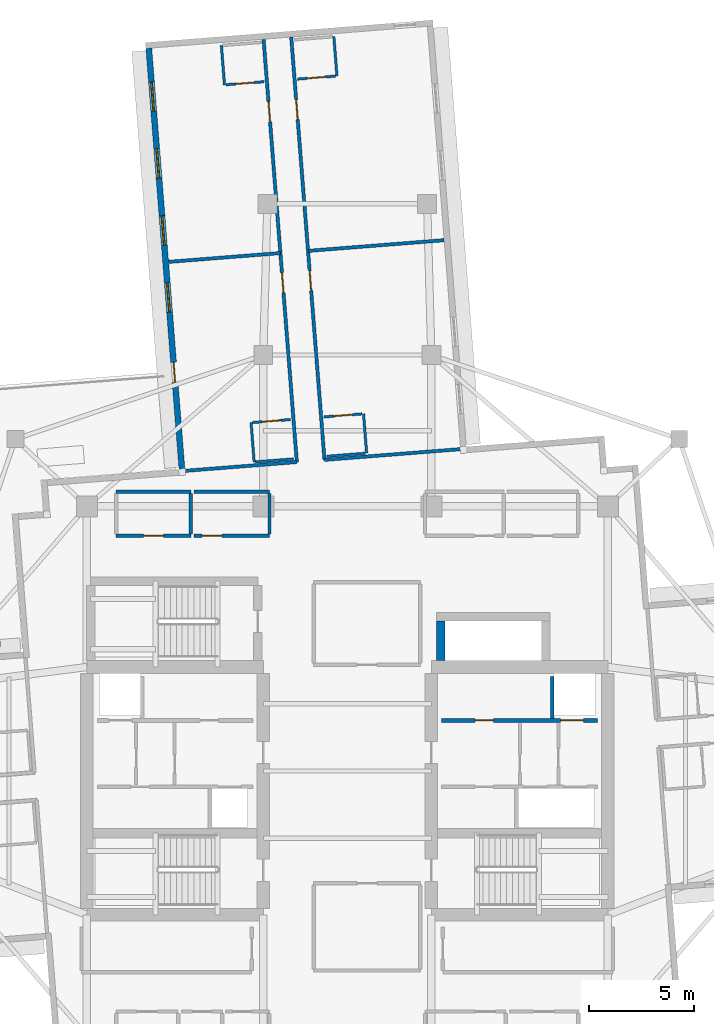
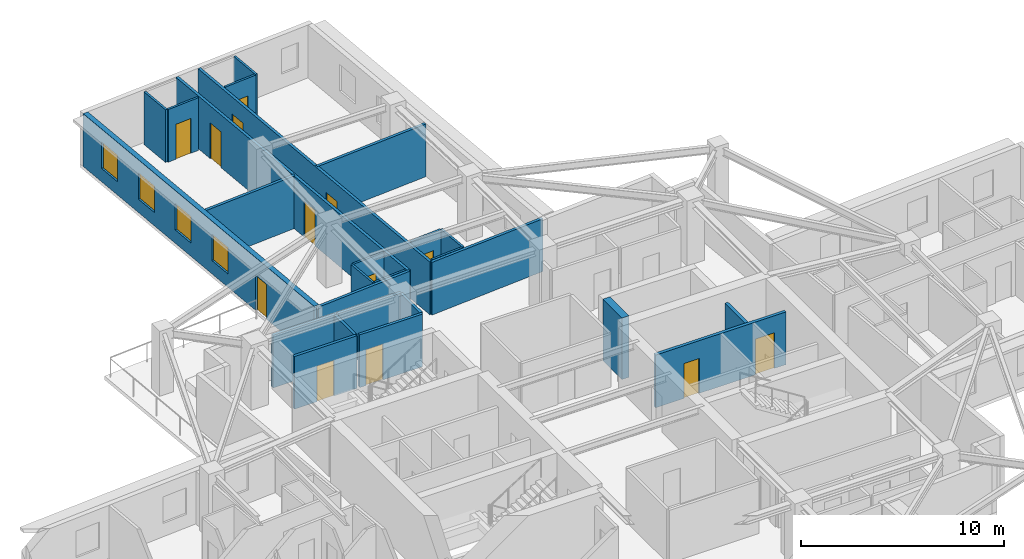
# One storey, part 7 of 13: 26 walls, 13 doors, 4 windows, 17 openings.
"""IFC4 building model written with IfcOpenShell, lengths in metres."""

from ifc_helpers import new_model, si_unit, direction, frame, frame_2d, origin, place, context, subcontext, project, spatial, rectangle, extrude, material, layer, layer_set, type_object, element, fill, save


model = new_model("IFC4")

# Units and contexts
model_context = context("Model", 3, precision=1e-05, world=origin(), true_north=direction((0.0, 1.0)))
body_context = subcontext(model_context, "Body", "Model", "MODEL_VIEW")
ifc_project = project(units=[si_unit("LENGTHUNIT", "METRE"), si_unit("AREAUNIT", "SQUARE_METRE"), si_unit("VOLUMEUNIT", "CUBIC_METRE"), si_unit("PLANEANGLEUNIT", "RADIAN"), si_unit("MASSUNIT", "GRAM", prefix="KILO")], contexts=[model_context])

# Site, building, storey
site_placement = place(None, origin())
site = spatial("IfcSite", under=ifc_project, at=site_placement, CompositionType="ELEMENT")
building_placement = place(site_placement, origin())
building = spatial("IfcBuilding", under=site, at=building_placement, Name="Qingluan Cross Belvedere", CompositionType="ELEMENT")
storey_placement = place(building_placement, frame((0.0, 0.0, 205.199951171875)))
storey = spatial("IfcBuildingStorey", under=building, at=storey_placement, Name="L51", CompositionType="ELEMENT", Elevation=205.199951171875)

# Wall
ifc_material_1 = material(Name="Concrete C50", Category="concrete")
ifc_layer_1 = layer(ifc_material_1, 0.449951171875, Name="CoreShearWall_450")
ifc_layer_set_1 = layer_set([ifc_layer_1], Name="Concrete C50")
wall_type_1 = type_object("IfcWallType", Name="CoreShearWall_450", PredefinedType="SHEAR", material=ifc_layer_set_1)
wall_1_placement = place(storey_placement, frame((4.449951171875, 5.2548828125, 0.0), z_axis=(0.0, 0.0, 1.0), x_axis=(0.0, 1.0, 0.0)))
element("IfcWall", 1, at=wall_1_placement, inside=storey, type_object=wall_type_1, Name="Express shuttle core wall L51-W", PredefinedType="SHEAR", context=body_context, shape_type="SweptSolid", body=[
    extrude(rectangle(XDim=1.885009765625, YDim=0.39990234375, at=frame_2d((0.9423828125, 0.0))), origin(), (0.0, 0.0, 1.0), 3.699951171875),
])

# Wall, opening, door
ifc_material_2 = material(Name="Gypsum plasterboard on steel stud acoustic partition", Category="steel")
ifc_layer_2 = layer(ifc_material_2, 0.159912109375, Name="CorridorPartition_160")
ifc_layer_set_2 = layer_set([ifc_layer_2], Name="Gypsum plasterboard on steel stud acoustic partition")
wall_type_2 = type_object("IfcWallType", Name="CorridorPartition_160", PredefinedType="PARTITIONING", material=ifc_layer_set_2)
wall_2_placement = place(storey_placement, frame((-11.0, 11.199951171875, 0.0), z_axis=(0.0, 0.0, 1.0), x_axis=(1.0, 0.0, 0.0)))
wall_2 = element("IfcWall", 2, at=wall_2_placement, inside=storey, type_object=wall_type_2, Name="Partition L51:q_nw1:S", PredefinedType="PARTITIONING", context=body_context, shape_type="SweptSolid", body=[
    extrude(rectangle(XDim=3.550048828125, YDim=0.159912109375, at=frame_2d((1.77490234375, 0.0))), origin(), (0.0, 0.0, 1.0), 3.170166015625),
])
opening_1_placement = place(wall_2_placement, frame((1.294921875, 0.0, 0.0)))
opening_1 = element("IfcOpeningElement", 3, at=opening_1_placement, cuts=wall_2, Name="Opening GD-10", PredefinedType="OPENING", context=body_context, shape_type="SweptSolid", body=[
    extrude(rectangle(XDim=0.9599609375, YDim=2.14990234375, at=frame_2d((0.47998046875, 1.074951171875))), frame((0.0, 0.08984375, 0.0), z_axis=(0.0, -1.0, 0.0), x_axis=(1.0, 0.0, 0.0)), (0.0, 0.0, 1.0), 0.179931640625),
])
ifc_material_3 = material(Name="Timber oak fire-rated acoustic guestroom door", Category="wood")
door_type_1 = type_object("IfcDoorType", Name="GuestEntryDoor_FD60", OperationType="NOTDEFINED", PredefinedType="DOOR", material=ifc_material_3)
door_1_placement = place(opening_1_placement, origin())
door_1 = element("IfcDoor", 4, at=door_1_placement, inside=storey, type_object=door_type_1, Name="Northwest sky parlor L51 door", OperationType="SINGLE_SWING_RIGHT", OverallHeight=2.14990234375, OverallWidth=0.9599609375, PredefinedType="DOOR", context=body_context, shape_type="SweptSolid", body=[
    extrude(rectangle(XDim=0.9599609375, YDim=2.14990234375, at=frame_2d((0.47998046875, 1.074951171875))), frame((0.0, 0.02490234375, 0.0), z_axis=(0.0, -1.0, 0.0), x_axis=(1.0, 0.0, 0.0)), (0.0, 0.0, 1.0), 0.050048828125),
])
fill(opening_1, door_1)

# Walls
wall_3_placement = place(storey_placement, frame((-11.0, 13.300048828125, 0.0), z_axis=(0.0, 0.0, 1.0), x_axis=(1.0, 0.0, 0.0)))
element("IfcWall", 5, at=wall_3_placement, inside=storey, type_object=wall_type_2, Name="Partition L51:q_nw1:N", PredefinedType="PARTITIONING", context=body_context, shape_type="SweptSolid", body=[
    extrude(rectangle(XDim=3.550048828125, YDim=0.159912109375, at=frame_2d((1.77490234375, 0.0))), origin(), (0.0, 0.0, 1.0), 3.170166015625),
])
wall_4_placement = place(storey_placement, frame((-7.449951171875, 11.284912109375, 0.0), z_axis=(0.0, 0.0, 1.0), x_axis=(0.0, 1.0, 0.0)))
element("IfcWall", 6, at=wall_4_placement, inside=storey, type_object=wall_type_2, Name="Partition L51:q_nw1:E", PredefinedType="PARTITIONING", context=body_context, shape_type="SweptSolid", body=[
    extrude(rectangle(XDim=1.93017578125, YDim=0.159912109375, at=frame_2d((0.965087890625, 0.0))), origin(), (0.0, 0.0, 1.0), 3.170166015625),
])

# Wall, opening, door
wall_5_placement = place(storey_placement, frame((-7.2900390625, 11.199951171875, 0.0), z_axis=(0.0, 0.0, 1.0), x_axis=(1.0, 0.0, 0.0)))
wall_5 = element("IfcWall", 7, at=wall_5_placement, inside=storey, type_object=wall_type_2, Name="Partition L51:q_nw2:S", PredefinedType="PARTITIONING", context=body_context, shape_type="SweptSolid", body=[
    extrude(rectangle(XDim=3.590087890625, YDim=0.159912109375, at=frame_2d((1.794921875, 0.0))), origin(), (0.0, 0.0, 1.0), 3.170166015625),
])
opening_2_placement = place(wall_5_placement, frame((0.364990234375, 0.0, 0.0)))
opening_2 = element("IfcOpeningElement", 8, at=opening_2_placement, cuts=wall_5, Name="Opening GD-10", PredefinedType="OPENING", context=body_context, shape_type="SweptSolid", body=[
    extrude(rectangle(XDim=0.9599609375, YDim=2.14990234375, at=frame_2d((0.47998046875, 1.074951171875))), frame((0.0, 0.08984375, 0.0), z_axis=(0.0, -1.0, 0.0), x_axis=(1.0, 0.0, 0.0)), (0.0, 0.0, 1.0), 0.179931640625),
])
door_2_placement = place(opening_2_placement, origin())
door_2 = element("IfcDoor", 9, at=door_2_placement, inside=storey, type_object=door_type_1, Name="Northwest study salon L51 door", OperationType="SINGLE_SWING_LEFT", OverallHeight=2.14990234375, OverallWidth=0.9599609375, PredefinedType="DOOR", context=body_context, shape_type="SweptSolid", body=[
    extrude(rectangle(XDim=0.9599609375, YDim=2.14990234375, at=frame_2d((0.47998046875, 1.074951171875))), frame((0.0, 0.02490234375, 0.0), z_axis=(0.0, -1.0, 0.0), x_axis=(1.0, 0.0, 0.0)), (0.0, 0.0, 1.0), 0.050048828125),
])
fill(opening_2, door_2)

# Walls
wall_6_placement = place(storey_placement, frame((-7.2900390625, 13.300048828125, 0.0), z_axis=(0.0, 0.0, 1.0), x_axis=(1.0, 0.0, 0.0)))
element("IfcWall", 10, at=wall_6_placement, inside=storey, type_object=wall_type_2, Name="Partition L51:q_nw2:N", PredefinedType="PARTITIONING", context=body_context, shape_type="SweptSolid", body=[
    extrude(rectangle(XDim=3.590087890625, YDim=0.159912109375, at=frame_2d((1.794921875, 0.0))), origin(), (0.0, 0.0, 1.0), 3.170166015625),
])
wall_7_placement = place(storey_placement, frame((-3.699951171875, 11.284912109375, 0.0), z_axis=(0.0, 0.0, 1.0), x_axis=(0.0, 1.0, 0.0)))
element("IfcWall", 11, at=wall_7_placement, inside=storey, type_object=wall_type_2, Name="Partition L51:q_nw2:E", PredefinedType="PARTITIONING", context=body_context, shape_type="SweptSolid", body=[
    extrude(rectangle(XDim=1.93017578125, YDim=0.159912109375, at=frame_2d((0.965087890625, 0.0))), origin(), (0.0, 0.0, 1.0), 3.170166015625),
])

# Wall, openings, doors
wall_8_placement = place(storey_placement, frame((-1.08544921875, 14.810546875, 0.0), z_axis=(0.0, 0.0, 1.0), x_axis=(-0.0784484395, 0.996918172339, 0.0)))
wall_8 = element("IfcWall", 12, at=wall_8_placement, inside=storey, type_object=wall_type_2, Name="Partition L51:N:c0", PredefinedType="PARTITIONING", context=body_context, shape_type="SweptSolid", body=[
    extrude(rectangle(XDim=20.18212890625, YDim=0.159912109375, at=frame_2d((10.091064453125, 0.0))), origin(), (0.0, 0.0, 1.0), 3.170166015625),
])
opening_3_placement = place(wall_8_placement, frame((8.080078125, 0.0, 0.0)))
opening_3 = element("IfcOpeningElement", 13, at=opening_3_placement, cuts=wall_8, Name="Opening GD-10", PredefinedType="OPENING", context=body_context, shape_type="SweptSolid", body=[
    extrude(rectangle(XDim=0.9599609375, YDim=2.14990234375, at=frame_2d((0.47998046875, 1.074951171875))), frame((0.0, 0.08984375, 0.0), z_axis=(0.0, -1.0, 0.0), x_axis=(1.0, 0.0, 0.0)), (0.0, 0.0, 1.0), 0.179931640625),
])
opening_4_placement = place(wall_8_placement, frame((16.2470703125, 0.0, 0.0)))
opening_4 = element("IfcOpeningElement", 14, at=opening_4_placement, cuts=wall_8, Name="Opening GD-10", PredefinedType="OPENING", context=body_context, shape_type="SweptSolid", body=[
    extrude(rectangle(XDim=0.9599609375, YDim=2.14990234375, at=frame_2d((0.47998046875, 1.074951171875))), frame((0.0, 0.08984375, 0.0), z_axis=(0.0, -1.0, 0.0), x_axis=(1.0, 0.0, 0.0)), (0.0, 0.0, 1.0), 0.179931640625),
])
door_3_placement = place(opening_3_placement, origin())
door_3 = element("IfcDoor", 15, at=door_3_placement, inside=storey, type_object=door_type_1, Name="Guest entry fire door 5113", OperationType="SINGLE_SWING_LEFT", OverallHeight=2.14990234375, OverallWidth=0.9599609375, PredefinedType="DOOR", context=body_context, shape_type="SweptSolid", body=[
    extrude(rectangle(XDim=0.9599609375, YDim=2.14990234375, at=frame_2d((0.47998046875, 1.074951171875))), frame((0.0, 0.02490234375, 0.0), z_axis=(0.0, -1.0, 0.0), x_axis=(1.0, 0.0, 0.0)), (0.0, 0.0, 1.0), 0.050048828125),
])
fill(opening_3, door_3)
door_4_placement = place(opening_4_placement, origin())
door_4 = element("IfcDoor", 16, at=door_4_placement, inside=storey, type_object=door_type_1, Name="Guest entry fire door 5114", OperationType="SINGLE_SWING_LEFT", OverallHeight=2.14990234375, OverallWidth=0.9599609375, PredefinedType="DOOR", context=body_context, shape_type="SweptSolid", body=[
    extrude(rectangle(XDim=0.9599609375, YDim=2.14990234375, at=frame_2d((0.47998046875, 1.074951171875))), frame((0.0, 0.02490234375, 0.0), z_axis=(0.0, -1.0, 0.0), x_axis=(1.0, 0.0, 0.0)), (0.0, 0.0, 1.0), 0.050048828125),
])
fill(opening_4, door_4)

# Walls
wall_9_placement = place(storey_placement, frame((-1.08544921875, 14.810546875, 0.0), z_axis=(0.0, 0.0, 1.0), x_axis=(0.996917098135, 0.078462089231, 0.0)))
element("IfcWall", 17, at=wall_9_placement, inside=storey, type_object=wall_type_2, Name="Partition L51:N:s0", PredefinedType="PARTITIONING", context=body_context, shape_type="SweptSolid", body=[
    extrude(rectangle(XDim=6.64013671875, YDim=0.159912109375, at=frame_2d((3.320068359375, 0.0))), origin(), (0.0, 0.0, 1.0), 3.170166015625),
])
wall_10_placement = place(storey_placement, frame((-1.8681640625, 24.7578125, 0.0), z_axis=(0.0, 0.0, 1.0), x_axis=(0.996918226549, 0.078447750597, 0.0)))
element("IfcWall", 18, at=wall_10_placement, inside=storey, type_object=wall_type_2, Name="Partition L51:N:d0_0", PredefinedType="PARTITIONING", context=body_context, shape_type="SweptSolid", body=[
    extrude(rectangle(XDim=6.491943359375, YDim=0.159912109375, at=frame_2d((3.24609375, 0.0))), origin(), (0.0, 0.0, 1.0), 3.170166015625),
])

# Wall, openings, doors
wall_11_placement = place(storey_placement, frame((-2.4013671875, 14.706787109375, 0.0), z_axis=(0.0, 0.0, 1.0), x_axis=(-0.078460461943, 0.996917226209, 0.0)))
wall_11 = element("IfcWall", 19, at=wall_11_placement, inside=storey, type_object=wall_type_2, Name="Partition L51:N:c1", PredefinedType="PARTITIONING", context=body_context, shape_type="SweptSolid", body=[
    extrude(rectangle(XDim=20.18212890625, YDim=0.159912109375, at=frame_2d((10.091064453125, 0.0))), origin(), (0.0, 0.0, 1.0), 3.170166015625),
])
opening_5_placement = place(wall_11_placement, frame((8.080078125, 0.0, 0.0)))
opening_5 = element("IfcOpeningElement", 20, at=opening_5_placement, cuts=wall_11, Name="Opening GD-10", PredefinedType="OPENING", context=body_context, shape_type="SweptSolid", body=[
    extrude(rectangle(XDim=0.9599609375, YDim=2.14990234375, at=frame_2d((0.47998046875, 1.074951171875))), frame((0.0, 0.08984375, 0.0), z_axis=(0.0, -1.0, 0.0), x_axis=(1.0, 0.0, 0.0)), (0.0, 0.0, 1.0), 0.179931640625),
])
opening_6_placement = place(wall_11_placement, frame((16.2470703125, 0.0, 0.0)))
opening_6 = element("IfcOpeningElement", 21, at=opening_6_placement, cuts=wall_11, Name="Opening GD-10", PredefinedType="OPENING", context=body_context, shape_type="SweptSolid", body=[
    extrude(rectangle(XDim=0.9599609375, YDim=2.14990234375, at=frame_2d((0.47998046875, 1.074951171875))), frame((0.0, 0.08984375, 0.0), z_axis=(0.0, -1.0, 0.0), x_axis=(1.0, 0.0, 0.0)), (0.0, 0.0, 1.0), 0.179931640625),
])
door_5_placement = place(opening_5_placement, origin())
door_5 = element("IfcDoor", 22, at=door_5_placement, inside=storey, type_object=door_type_1, Name="Guest entry fire door 5115", OperationType="SINGLE_SWING_LEFT", OverallHeight=2.14990234375, OverallWidth=0.9599609375, PredefinedType="DOOR", context=body_context, shape_type="SweptSolid", body=[
    extrude(rectangle(XDim=0.9599609375, YDim=2.14990234375, at=frame_2d((0.47998046875, 1.074951171875))), frame((0.0, 0.02490234375, 0.0), z_axis=(0.0, -1.0, 0.0), x_axis=(1.0, 0.0, 0.0)), (0.0, 0.0, 1.0), 0.050048828125),
])
fill(opening_5, door_5)
door_6_placement = place(opening_6_placement, origin())
door_6 = element("IfcDoor", 23, at=door_6_placement, inside=storey, type_object=door_type_1, Name="Guest entry fire door 5116", OperationType="SINGLE_SWING_LEFT", OverallHeight=2.14990234375, OverallWidth=0.9599609375, PredefinedType="DOOR", context=body_context, shape_type="SweptSolid", body=[
    extrude(rectangle(XDim=0.9599609375, YDim=2.14990234375, at=frame_2d((0.47998046875, 1.074951171875))), frame((0.0, 0.02490234375, 0.0), z_axis=(0.0, -1.0, 0.0), x_axis=(1.0, 0.0, 0.0)), (0.0, 0.0, 1.0), 0.050048828125),
])
fill(opening_6, door_6)

# Walls
wall_12_placement = place(storey_placement, frame((-2.4013671875, 14.706787109375, 0.0), z_axis=(0.0, 0.0, 1.0), x_axis=(-0.996921193864, -0.078410032676, 0.0)))
element("IfcWall", 24, at=wall_12_placement, inside=storey, type_object=wall_type_2, Name="Partition L51:N:s1", PredefinedType="PARTITIONING", context=body_context, shape_type="SweptSolid", body=[
    extrude(rectangle(XDim=5.47998046875, YDim=0.159912109375, at=frame_2d((2.739990234375, 0.0))), origin(), (0.0, 0.0, 1.0), 3.170166015625),
])
wall_13_placement = place(storey_placement, frame((-3.18408203125, 24.654296875, 0.0), z_axis=(0.0, 0.0, 1.0), x_axis=(-0.996915801681, -0.078478559871, 0.0)))
element("IfcWall", 25, at=wall_13_placement, inside=storey, type_object=wall_type_2, Name="Partition L51:N:d1_0", PredefinedType="PARTITIONING", context=body_context, shape_type="SweptSolid", body=[
    extrude(rectangle(XDim=5.33203125, YDim=0.159912109375, at=frame_2d((2.666015625, 0.0))), origin(), (0.0, 0.0, 1.0), 3.170166015625),
])

# Wall, opening, door
ifc_material_4 = material(Name="Moisture-resistant gypsum board lining")
ifc_layer_3 = layer(ifc_material_4, 0.1201171875, Name="EnsuiteWetPartition_120")
ifc_layer_set_3 = layer_set([ifc_layer_3], Name="Moisture-resistant gypsum board lining")
wall_type_3 = type_object("IfcWallType", Name="EnsuiteWetPartition_120", PredefinedType="PARTITIONING", material=ifc_layer_set_3)
wall_14_placement = place(storey_placement, frame((-1.10595703125, 16.855224609375, 0.0), z_axis=(0.0, 0.0, 1.0), x_axis=(0.996916400774, 0.0784709492, 0.0)))
wall_14 = element("IfcWall", 26, at=wall_14_placement, inside=storey, type_object=wall_type_3, Name="Partition L51:N:bs0_0", PredefinedType="PARTITIONING", context=body_context, shape_type="SweptSolid", body=[
    extrude(rectangle(XDim=1.820068359375, YDim=0.1201171875, at=frame_2d((0.91015625, 0.0))), origin(), (0.0, 0.0, 1.0), 3.170166015625),
])
opening_7_placement = place(wall_14_placement, frame((0.469970703125, 0.0, 0.0)))
opening_7 = element("IfcOpeningElement", 27, at=opening_7_placement, cuts=wall_14, Name="Opening BD-09", PredefinedType="OPENING", context=body_context, shape_type="SweptSolid", body=[
    extrude(rectangle(XDim=0.8798828125, YDim=2.10009765625, at=frame_2d((0.43994140625, 1.050048828125))), frame((0.0, 0.070068359375, 0.0), z_axis=(0.0, -1.0, 0.0), x_axis=(1.0, 0.0, 0.0)), (0.0, 0.0, 1.0), 0.14013671875),
])
ifc_material_5 = material(Name="Moisture-sealed timber en-suite door", Category="wood")
door_type_2 = type_object("IfcDoorType", Name="BathroomDoor_880", OperationType="NOTDEFINED", PredefinedType="DOOR", material=ifc_material_5)
door_7_placement = place(opening_7_placement, origin())
door_7 = element("IfcDoor", 28, at=door_7_placement, inside=storey, type_object=door_type_2, Name="Bathroom door 5113", OperationType="SINGLE_SWING_RIGHT", OverallHeight=2.10009765625, OverallWidth=0.8798828125, PredefinedType="DOOR", context=body_context, shape_type="SweptSolid", body=[
    extrude(rectangle(XDim=0.8798828125, YDim=2.10009765625, at=frame_2d((0.43994140625, 1.050048828125))), frame((0.0, 0.02490234375, 0.0), z_axis=(0.0, -1.0, 0.0), x_axis=(1.0, 0.0, 0.0)), (0.0, 0.0, 1.0), 0.050048828125),
])
fill(opening_7, door_7)

# Walls
wall_15_placement = place(storey_placement, frame((-0.958251953125, 14.98095703125, 0.0), z_axis=(0.0, 0.0, 1.0), x_axis=(0.996915574626, 0.078481444107, 0.0)))
element("IfcWall", 29, at=wall_15_placement, inside=storey, type_object=wall_type_3, Name="Partition L51:N:bw0_0", PredefinedType="PARTITIONING", context=body_context, shape_type="SweptSolid", body=[
    extrude(rectangle(XDim=1.81982421875, YDim=0.1201171875, at=frame_2d((0.909912109375, 0.0))), origin(), (0.0, 0.0, 1.0), 3.170166015625),
])
wall_16_placement = place(storey_placement, frame((0.9208984375, 15.12890625, 0.0), z_axis=(0.0, 0.0, 1.0), x_axis=(-0.078563244057, 0.996909131608, 0.0)))
element("IfcWall", 30, at=wall_16_placement, inside=storey, type_object=wall_type_3, Name="Partition L51:N:bn0_0", PredefinedType="PARTITIONING", context=body_context, shape_type="SweptSolid", body=[
    extrude(rectangle(XDim=1.880126953125, YDim=0.1201171875, at=frame_2d((0.93994140625, 0.0))), origin(), (0.0, 0.0, 1.0), 3.170166015625),
])

# Wall, opening, door
wall_17_placement = place(storey_placement, frame((-2.371337890625, 32.935546875, 0.0), z_axis=(0.0, 0.0, 1.0), x_axis=(0.996916400774, 0.0784709492, 0.0)))
wall_17 = element("IfcWall", 31, at=wall_17_placement, inside=storey, type_object=wall_type_3, Name="Partition L51:N:bs0_1", PredefinedType="PARTITIONING", context=body_context, shape_type="SweptSolid", body=[
    extrude(rectangle(XDim=1.820068359375, YDim=0.1201171875, at=frame_2d((0.91015625, 0.0))), origin(), (0.0, 0.0, 1.0), 3.170166015625),
])
opening_8_placement = place(wall_17_placement, frame((0.469970703125, 0.0, 0.0)))
opening_8 = element("IfcOpeningElement", 32, at=opening_8_placement, cuts=wall_17, Name="Opening BD-09", PredefinedType="OPENING", context=body_context, shape_type="SweptSolid", body=[
    extrude(rectangle(XDim=0.8798828125, YDim=2.10009765625, at=frame_2d((0.43994140625, 1.050048828125))), frame((0.0, 0.070068359375, 0.0), z_axis=(0.0, -1.0, 0.0), x_axis=(1.0, 0.0, 0.0)), (0.0, 0.0, 1.0), 0.14013671875),
])
door_8_placement = place(opening_8_placement, origin())
door_8 = element("IfcDoor", 33, at=door_8_placement, inside=storey, type_object=door_type_2, Name="Bathroom door 5114", OperationType="SINGLE_SWING_RIGHT", OverallHeight=2.10009765625, OverallWidth=0.8798828125, PredefinedType="DOOR", context=body_context, shape_type="SweptSolid", body=[
    extrude(rectangle(XDim=0.8798828125, YDim=2.10009765625, at=frame_2d((0.43994140625, 1.050048828125))), frame((0.0, 0.02490234375, 0.0), z_axis=(0.0, -1.0, 0.0), x_axis=(1.0, 0.0, 0.0)), (0.0, 0.0, 1.0), 0.050048828125),
])
fill(opening_8, door_8)

# Wall
wall_18_placement = place(storey_placement, frame((-0.4921875, 33.08349609375, 0.0), z_axis=(0.0, 0.0, 1.0), x_axis=(-0.078444342213, 0.99691849475, 0.0)))
element("IfcWall", 34, at=wall_18_placement, inside=storey, type_object=wall_type_3, Name="Partition L51:N:bn0_1", PredefinedType="PARTITIONING", context=body_context, shape_type="SweptSolid", body=[
    extrude(rectangle(XDim=1.8798828125, YDim=0.1201171875, at=frame_2d((0.93994140625, 0.0))), origin(), (0.0, 0.0, 1.0), 3.170166015625),
])

# Wall, opening, door
wall_19_placement = place(storey_placement, frame((-4.515380859375, 16.5869140625, 0.0), z_axis=(0.0, 0.0, 1.0), x_axis=(0.996916400774, 0.0784709492, 0.0)))
wall_19 = element("IfcWall", 35, at=wall_19_placement, inside=storey, type_object=wall_type_3, Name="Partition L51:N:bs1_0", PredefinedType="PARTITIONING", context=body_context, shape_type="SweptSolid", body=[
    extrude(rectangle(XDim=1.820068359375, YDim=0.1201171875, at=frame_2d((0.91015625, 0.0))), origin(), (0.0, 0.0, 1.0), 3.170166015625),
])
opening_9_placement = place(wall_19_placement, frame((0.469970703125, 0.0, 0.0)))
opening_9 = element("IfcOpeningElement", 36, at=opening_9_placement, cuts=wall_19, Name="Opening BD-09", PredefinedType="OPENING", context=body_context, shape_type="SweptSolid", body=[
    extrude(rectangle(XDim=0.8798828125, YDim=2.10009765625, at=frame_2d((0.43994140625, 1.050048828125))), frame((0.0, 0.070068359375, 0.0), z_axis=(0.0, -1.0, 0.0), x_axis=(1.0, 0.0, 0.0)), (0.0, 0.0, 1.0), 0.14013671875),
])
door_9_placement = place(opening_9_placement, origin())
door_9 = element("IfcDoor", 37, at=door_9_placement, inside=storey, type_object=door_type_2, Name="Bathroom door 5115", OperationType="SINGLE_SWING_RIGHT", OverallHeight=2.10009765625, OverallWidth=0.8798828125, PredefinedType="DOOR", context=body_context, shape_type="SweptSolid", body=[
    extrude(rectangle(XDim=0.8798828125, YDim=2.10009765625, at=frame_2d((0.43994140625, 1.050048828125))), frame((0.0, 0.02490234375, 0.0), z_axis=(0.0, -1.0, 0.0), x_axis=(1.0, 0.0, 0.0)), (0.0, 0.0, 1.0), 0.050048828125),
])
fill(opening_9, door_9)

# Walls
wall_20_placement = place(storey_placement, frame((-4.367919921875, 14.712646484375, 0.0), z_axis=(0.0, 0.0, 1.0), x_axis=(0.996916400774, 0.0784709492, 0.0)))
element("IfcWall", 38, at=wall_20_placement, inside=storey, type_object=wall_type_3, Name="Partition L51:N:bw1_0", PredefinedType="PARTITIONING", context=body_context, shape_type="SweptSolid", body=[
    extrude(rectangle(XDim=1.820068359375, YDim=0.1201171875, at=frame_2d((0.91015625, 0.0))), origin(), (0.0, 0.0, 1.0), 3.170166015625),
])
wall_21_placement = place(storey_placement, frame((-4.4326171875, 14.70751953125, 0.0), z_axis=(0.0, 0.0, 1.0), x_axis=(-0.07843418698, 0.996919293781, 0.0)))
element("IfcWall", 39, at=wall_21_placement, inside=storey, type_object=wall_type_3, Name="Partition L51:N:bc1_0", PredefinedType="PARTITIONING", context=body_context, shape_type="SweptSolid", body=[
    extrude(rectangle(XDim=1.880126953125, YDim=0.1201171875, at=frame_2d((0.93994140625, 0.0))), origin(), (0.0, 0.0, 1.0), 3.170166015625),
])

# Wall, opening, door
wall_22_placement = place(storey_placement, frame((-5.781005859375, 32.6669921875, 0.0), z_axis=(0.0, 0.0, 1.0), x_axis=(0.996916400774, 0.0784709492, 0.0)))
wall_22 = element("IfcWall", 40, at=wall_22_placement, inside=storey, type_object=wall_type_3, Name="Partition L51:N:bs1_1", PredefinedType="PARTITIONING", context=body_context, shape_type="SweptSolid", body=[
    extrude(rectangle(XDim=1.820068359375, YDim=0.1201171875, at=frame_2d((0.91015625, 0.0))), origin(), (0.0, 0.0, 1.0), 3.170166015625),
])
opening_10_placement = place(wall_22_placement, frame((0.469970703125, 0.0, 0.0)))
opening_10 = element("IfcOpeningElement", 41, at=opening_10_placement, cuts=wall_22, Name="Opening BD-09", PredefinedType="OPENING", context=body_context, shape_type="SweptSolid", body=[
    extrude(rectangle(XDim=0.8798828125, YDim=2.10009765625, at=frame_2d((0.43994140625, 1.050048828125))), frame((0.0, 0.070068359375, 0.0), z_axis=(0.0, -1.0, 0.0), x_axis=(1.0, 0.0, 0.0)), (0.0, 0.0, 1.0), 0.14013671875),
])
door_10_placement = place(opening_10_placement, origin())
door_10 = element("IfcDoor", 42, at=door_10_placement, inside=storey, type_object=door_type_2, Name="Bathroom door 5116", OperationType="SINGLE_SWING_RIGHT", OverallHeight=2.10009765625, OverallWidth=0.8798828125, PredefinedType="DOOR", context=body_context, shape_type="SweptSolid", body=[
    extrude(rectangle(XDim=0.8798828125, YDim=2.10009765625, at=frame_2d((0.43994140625, 1.050048828125))), frame((0.0, 0.02490234375, 0.0), z_axis=(0.0, -1.0, 0.0), x_axis=(1.0, 0.0, 0.0)), (0.0, 0.0, 1.0), 0.050048828125),
])
fill(opening_10, door_10)

# Wall
wall_23_placement = place(storey_placement, frame((-5.845703125, 32.662109375, 0.0), z_axis=(0.0, 0.0, 1.0), x_axis=(-0.078444342213, 0.99691849475, 0.0)))
element("IfcWall", 43, at=wall_23_placement, inside=storey, type_object=wall_type_3, Name="Partition L51:N:bc1_1", PredefinedType="PARTITIONING", context=body_context, shape_type="SweptSolid", body=[
    extrude(rectangle(XDim=1.8798828125, YDim=0.1201171875, at=frame_2d((0.93994140625, 0.0))), origin(), (0.0, 0.0, 1.0), 3.170166015625),
])

# Wall, openings, windows, door
ifc_material_6 = material(Name="Precast concrete C45", Category="concrete")
ifc_layer_4 = layer(ifc_material_6, 0.280029296875, Name="PrecastFacadeWall_280")
ifc_layer_set_4 = layer_set([ifc_layer_4], Name="Precast concrete C45")
wall_type_4 = type_object("IfcWallType", Name="PrecastFacadeWall_280", PredefinedType="STANDARD", material=ifc_layer_set_4)
wall_24_placement = place(storey_placement, frame((-9.448486328125, 34.40478515625, 0.0), z_axis=(0.0, 0.0, 1.0), x_axis=(0.078452802979, -0.996917828963, 0.0)))
wall_24 = element("IfcWall", 44, at=wall_24_placement, inside=storey, type_object=wall_type_4, Name="Facade wall L51-NB", PredefinedType="STANDARD", context=body_context, shape_type="SweptSolid", body=[
    extrude(rectangle(XDim=20.10009765625, YDim=0.280029296875, at=frame_2d((10.050048828125, 0.0))), origin(), (0.0, 0.0, 1.0), 3.179931640625),
])
opening_11_placement = place(wall_24_placement, frame((1.60009765625, 0.0, 0.800048828125)))
opening_11 = element("IfcOpeningElement", 45, at=opening_11_placement, cuts=wall_24, Name="Opening W-01", PredefinedType="OPENING", context=body_context, shape_type="SweptSolid", body=[
    extrude(rectangle(XDim=1.39990234375, YDim=1.60009765625, at=frame_2d((0.699951171875, 0.800048828125))), frame((0.0, 0.14990234375, 0.0), z_axis=(0.0, -1.0, 0.0), x_axis=(1.0, 0.0, 0.0)), (0.0, 0.0, 1.0), 0.300048828125),
])
opening_12_placement = place(wall_24_placement, frame((4.800048828125, 0.0, 0.800048828125)))
opening_12 = element("IfcOpeningElement", 46, at=opening_12_placement, cuts=wall_24, Name="Opening W-01", PredefinedType="OPENING", context=body_context, shape_type="SweptSolid", body=[
    extrude(rectangle(XDim=1.39990234375, YDim=1.60009765625, at=frame_2d((0.699951171875, 0.800048828125))), frame((0.0, 0.14990234375, 0.0), z_axis=(0.0, -1.0, 0.0), x_axis=(1.0, 0.0, 0.0)), (0.0, 0.0, 1.0), 0.300048828125),
])
opening_13_placement = place(wall_24_placement, frame((8.0, 0.0, 0.800048828125)))
opening_13 = element("IfcOpeningElement", 47, at=opening_13_placement, cuts=wall_24, Name="Opening W-01", PredefinedType="OPENING", context=body_context, shape_type="SweptSolid", body=[
    extrude(rectangle(XDim=1.39990234375, YDim=1.60009765625, at=frame_2d((0.699951171875, 0.800048828125))), frame((0.0, 0.14990234375, 0.0), z_axis=(0.0, -1.0, 0.0), x_axis=(1.0, 0.0, 0.0)), (0.0, 0.0, 1.0), 0.300048828125),
])
opening_14_placement = place(wall_24_placement, frame((11.199951171875, 0.0, 0.800048828125)))
opening_14 = element("IfcOpeningElement", 48, at=opening_14_placement, cuts=wall_24, Name="Opening W-01", PredefinedType="OPENING", context=body_context, shape_type="SweptSolid", body=[
    extrude(rectangle(XDim=1.39990234375, YDim=1.60009765625, at=frame_2d((0.699951171875, 0.800048828125))), frame((0.0, 0.14990234375, 0.0), z_axis=(0.0, -1.0, 0.0), x_axis=(1.0, 0.0, 0.0)), (0.0, 0.0, 1.0), 0.300048828125),
])
opening_15_placement = place(wall_24_placement, frame((15.0, 0.0, 0.0)))
opening_15 = element("IfcOpeningElement", 49, at=opening_15_placement, cuts=wall_24, Name="Opening WD-10", PredefinedType="OPENING", context=body_context, shape_type="SweptSolid", body=[
    extrude(rectangle(XDim=0.9599609375, YDim=2.10009765625, at=frame_2d((0.47998046875, 1.050048828125))), frame((0.0, 0.14990234375, 0.0), z_axis=(0.0, -1.0, 0.0), x_axis=(1.0, 0.0, 0.0)), (0.0, 0.0, 1.0), 0.300048828125),
])
ifc_material_7 = material(Name="Thermally broken triple Low-E glass in aluminium frame", Category="aluminium")
window_type = type_object("IfcWindowType", Name="TriRibbonWin_1400x1600", PartitioningType="SINGLE_PANEL", PredefinedType="WINDOW", material=ifc_material_7)
window_1_placement = place(opening_11_placement, origin())
window_1 = element("IfcWindow", 50, at=window_1_placement, inside=storey, type_object=window_type, Name="Ribbon window L51-NB-1", OverallHeight=1.60009765625, OverallWidth=1.39990234375, PartitioningType="SINGLE_PANEL", PredefinedType="WINDOW", context=body_context, shape_type="SweptSolid", body=[
    extrude(rectangle(XDim=1.39990234375, YDim=1.60009765625, at=frame_2d((0.699951171875, 0.800048828125))), frame((0.0, 0.030029296875, 0.0), z_axis=(0.0, -1.0, 0.0), x_axis=(1.0, 0.0, 0.0)), (0.0, 0.0, 1.0), 0.06005859375),
])
fill(opening_11, window_1)
window_2_placement = place(opening_12_placement, origin())
window_2 = element("IfcWindow", 51, at=window_2_placement, inside=storey, type_object=window_type, Name="Ribbon window L51-NB-2", OverallHeight=1.60009765625, OverallWidth=1.39990234375, PartitioningType="SINGLE_PANEL", PredefinedType="WINDOW", context=body_context, shape_type="SweptSolid", body=[
    extrude(rectangle(XDim=1.39990234375, YDim=1.60009765625, at=frame_2d((0.699951171875, 0.800048828125))), frame((0.0, 0.030029296875, 0.0), z_axis=(0.0, -1.0, 0.0), x_axis=(1.0, 0.0, 0.0)), (0.0, 0.0, 1.0), 0.06005859375),
])
fill(opening_12, window_2)
window_3_placement = place(opening_13_placement, origin())
window_3 = element("IfcWindow", 52, at=window_3_placement, inside=storey, type_object=window_type, Name="Ribbon window L51-NB-3", OverallHeight=1.60009765625, OverallWidth=1.39990234375, PartitioningType="SINGLE_PANEL", PredefinedType="WINDOW", context=body_context, shape_type="SweptSolid", body=[
    extrude(rectangle(XDim=1.39990234375, YDim=1.60009765625, at=frame_2d((0.699951171875, 0.800048828125))), frame((0.0, 0.030029296875, 0.0), z_axis=(0.0, -1.0, 0.0), x_axis=(1.0, 0.0, 0.0)), (0.0, 0.0, 1.0), 0.06005859375),
])
fill(opening_13, window_3)
window_4_placement = place(opening_14_placement, origin())
window_4 = element("IfcWindow", 53, at=window_4_placement, inside=storey, type_object=window_type, Name="Ribbon window L51-NB-4", OverallHeight=1.60009765625, OverallWidth=1.39990234375, PartitioningType="SINGLE_PANEL", PredefinedType="WINDOW", context=body_context, shape_type="SweptSolid", body=[
    extrude(rectangle(XDim=1.39990234375, YDim=1.60009765625, at=frame_2d((0.699951171875, 0.800048828125))), frame((0.0, 0.030029296875, 0.0), z_axis=(0.0, -1.0, 0.0), x_axis=(1.0, 0.0, 0.0)), (0.0, 0.0, 1.0), 0.06005859375),
])
fill(opening_14, window_4)
ifc_material_8 = material(Name="Thermally broken aluminium and Low-E glass", Category="aluminium")
door_type_3 = type_object("IfcDoorType", Name="WinterGardenDoor_096", OperationType="NOTDEFINED", PredefinedType="DOOR", material=ifc_material_8)
door_11_placement = place(opening_15_placement, origin())
door_11 = element("IfcDoor", 54, at=door_11_placement, inside=storey, type_object=door_type_3, Name="Outdoor terrace access door L51-spi", OperationType="SINGLE_SWING_LEFT", OverallHeight=2.10009765625, OverallWidth=0.9599609375, PredefinedType="DOOR", context=body_context, shape_type="SweptSolid", body=[
    extrude(rectangle(XDim=0.9599609375, YDim=2.10009765625, at=frame_2d((0.47998046875, 1.050048828125))), frame((0.0, 0.02490234375, 0.0), z_axis=(0.0, -1.0, 0.0), x_axis=(1.0, 0.0, 0.0)), (0.0, 0.0, 1.0), 0.050048828125),
])
fill(opening_15, door_11)

# Wall, openings, doors
ifc_material_9 = material(Name="Concrete C40", Category="concrete")
ifc_layer_5 = layer(ifc_material_9, 0.219970703125, Name="ShaftEnclosureWall_250")
ifc_layer_set_5 = layer_set([ifc_layer_5], Name="Concrete C40")
wall_type_5 = type_object("IfcWallType", Name="ShaftEnclosureWall_250", PredefinedType="SOLIDWALL", material=ifc_layer_set_5)
wall_25_placement = place(storey_placement, frame((4.47998046875, 2.409912109375, 0.0), z_axis=(0.0, 0.0, 1.0), x_axis=(1.0, 0.0, 0.0)))
wall_25 = element("IfcWall", 55, at=wall_25_placement, inside=storey, type_object=wall_type_5, Name="Core-E north hoistway wall L51", PredefinedType="SOLIDWALL", context=body_context, shape_type="SweptSolid", body=[
    extrude(rectangle(XDim=7.419921875, YDim=0.179931640625, at=frame_2d((3.7099609375, 0.0))), origin(), (0.0, 0.0, 1.0), 3.170166015625),
])
opening_16_placement = place(wall_25_placement, frame((5.669921875, 0.0, 0.0)))
opening_16 = element("IfcOpeningElement", 56, at=opening_16_placement, cuts=wall_25, Name="Opening LD-11", PredefinedType="OPENING", context=body_context, shape_type="SweptSolid", body=[
    extrude(rectangle(XDim=1.10009765625, YDim=2.14990234375, at=frame_2d((0.550048828125, 1.074951171875))), frame((0.0, 0.099853515625, 0.0), z_axis=(0.0, -1.0, 0.0), x_axis=(1.0, 0.0, 0.0)), (0.0, 0.0, 1.0), 0.199951171875),
])
opening_17_placement = place(wall_25_placement, frame((1.60009765625, 0.0, 0.0)))
opening_17 = element("IfcOpeningElement", 57, at=opening_17_placement, cuts=wall_25, Name="Opening FD-B10", PredefinedType="OPENING", context=body_context, shape_type="SweptSolid", body=[
    extrude(rectangle(XDim=0.8798828125, YDim=2.10009765625, at=frame_2d((0.43994140625, 1.050048828125))), frame((0.0, 0.099853515625, 0.0), z_axis=(0.0, -1.0, 0.0), x_axis=(1.0, 0.0, 0.0)), (0.0, 0.0, 1.0), 0.199951171875),
])
ifc_material_10 = material(Name="Brushed stainless steel centre-opening lift landing door", Category="steel")
door_type_4 = type_object("IfcDoorType", Name="LiftLandingSlidingDoor_1100", OperationType="DOUBLE_DOOR_SLIDING", PredefinedType="DOOR", material=ifc_material_10)
door_12_placement = place(opening_16_placement, origin())
door_12 = element("IfcDoor", 58, at=door_12_placement, inside=storey, type_object=door_type_4, Name="Lift landing sliding door FL2 L51", OperationType="DOUBLE_DOOR_SLIDING", OverallHeight=2.14990234375, OverallWidth=1.10009765625, PredefinedType="DOOR", context=body_context, shape_type="SweptSolid", body=[
    extrude(rectangle(XDim=1.10009765625, YDim=2.14990234375, at=frame_2d((0.550048828125, 1.074951171875))), frame((0.0, 0.02490234375, 0.0), z_axis=(0.0, -1.0, 0.0), x_axis=(1.0, 0.0, 0.0)), (0.0, 0.0, 1.0), 0.050048828125),
])
fill(opening_16, door_12)
ifc_material_11 = material(Name="Steel Class B service fire door", Category="steel")
door_type_5 = type_object("IfcDoorType", Name="RiserServiceFireDoor_FDB", OperationType="NOTDEFINED", PredefinedType="DOOR", material=ifc_material_11)
door_13_placement = place(opening_17_placement, origin())
door_13 = element("IfcDoor", 59, at=door_13_placement, inside=storey, type_object=door_type_5, Name="Pantry room door E L51", OperationType="SINGLE_SWING_LEFT", OverallHeight=2.10009765625, OverallWidth=0.8798828125, PredefinedType="DOOR", context=body_context, shape_type="SweptSolid", body=[
    extrude(rectangle(XDim=0.8798828125, YDim=2.10009765625, at=frame_2d((0.43994140625, 1.050048828125))), frame((0.0, 0.02490234375, 0.0), z_axis=(0.0, -1.0, 0.0), x_axis=(1.0, 0.0, 0.0)), (0.0, 0.0, 1.0), 0.050048828125),
])
fill(opening_17, door_13)

# Wall
wall_26_placement = place(storey_placement, frame((9.760009765625, 2.5, 0.0), z_axis=(0.0, 0.0, 1.0), x_axis=(0.0, 1.0, 0.0)))
element("IfcWall", 60, at=wall_26_placement, inside=storey, type_object=wall_type_5, Name="Hoistway enclosure divider FL2W L51", PredefinedType="SOLIDWALL", context=body_context, shape_type="SweptSolid", body=[
    extrude(rectangle(XDim=1.989990234375, YDim=0.179931640625, at=frame_2d((0.9951171875, 0.0))), origin(), (0.0, 0.0, 1.0), 3.170166015625),
])

save(model, "model.ifc")
